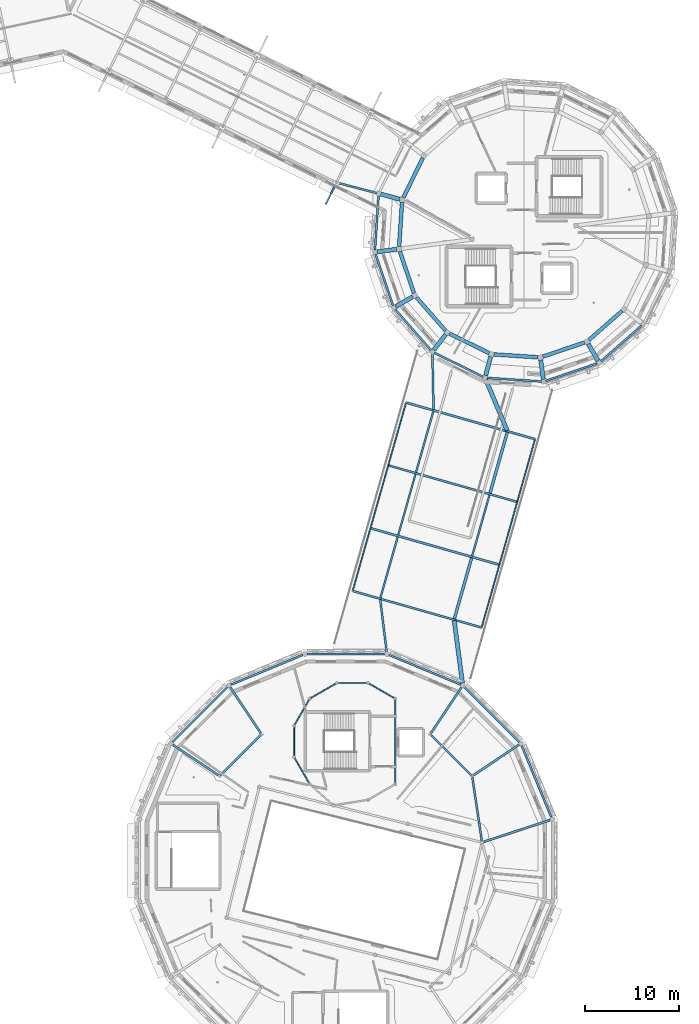
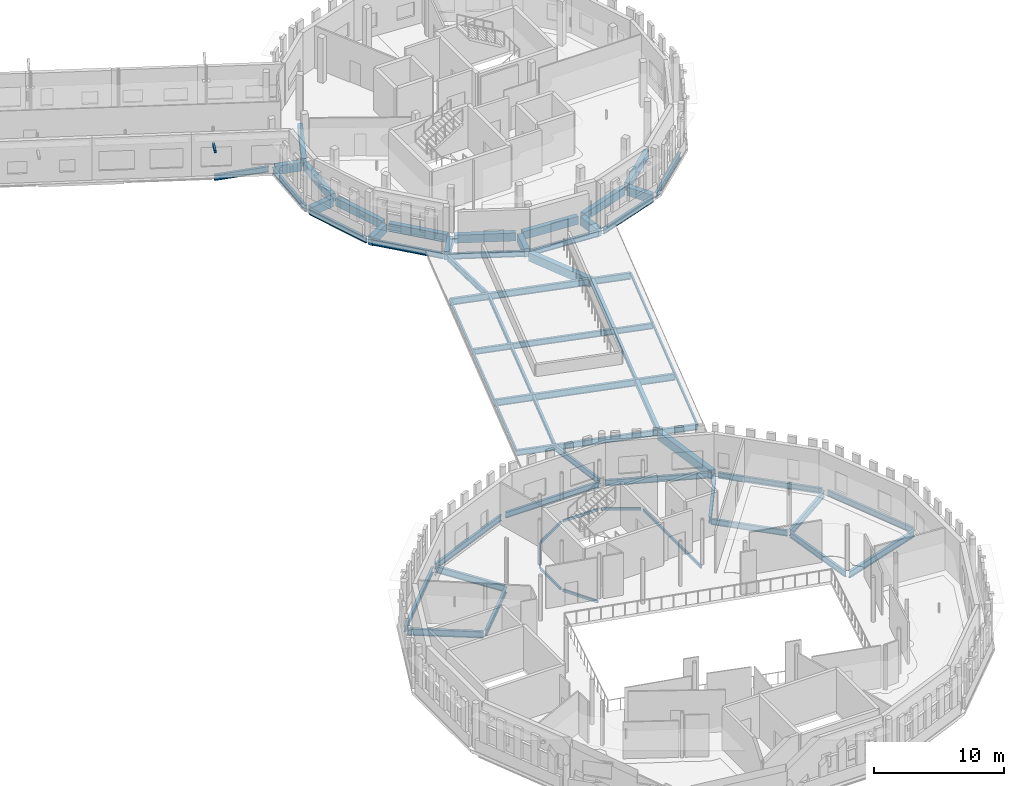
# One storey, part 22 of 68: 64 beams, 1 member.
"""IFC4 building model written with IfcOpenShell, lengths in metres."""

from ifc_helpers import new_model, si_unit, direction, frame, origin, origin_2d, place, context, subcontext, project, spatial, rectangle, hollow_rectangle, i_section, extrude, material, material_profile, profile_set, type_object, element, save


model = new_model("IFC4")

# Units and contexts
model_context = context("Model", 3, precision=1e-05, world=origin(), true_north=direction((0.0, 1.0)))
body_context = subcontext(model_context, "Body", "Model", "MODEL_VIEW")
ifc_project = project(units=[si_unit("LENGTHUNIT", "METRE"), si_unit("AREAUNIT", "SQUARE_METRE"), si_unit("VOLUMEUNIT", "CUBIC_METRE"), si_unit("PLANEANGLEUNIT", "RADIAN"), si_unit("MASSUNIT", "GRAM", prefix="KILO")], contexts=[model_context])

# Site, building, storey
site_placement = place(None, origin())
site = spatial("IfcSite", under=ifc_project, at=site_placement, CompositionType="ELEMENT")
building_placement = place(site_placement, origin())
building = spatial("IfcBuilding", under=site, at=building_placement, Name="Wrenclough Park School", CompositionType="ELEMENT")
storey_placement = place(building_placement, frame((0.0, 0.0, 12.60009765625)))
storey = spatial("IfcBuildingStorey", under=building, at=storey_placement, Name="L03", CompositionType="ELEMENT", Elevation=12.60009765625)

# Beams
ifc_material_1 = material(Name="Concrete C32/40", Category="concrete")
ifc_material_profile_1 = material_profile(ifc_material_1, rectangle(XDim=0.300048828125, YDim=0.5, at=origin_2d()), Name="RC BEAM 300x500")
ifc_profile_set_1 = profile_set([ifc_material_profile_1], Name="Concrete C32/40")
beam_type_1 = type_object("IfcBeamType", Name="STR-BM-RC300", PredefinedType="BEAM", material=ifc_profile_set_1)
beam_1_placement = place(storey_placement, frame((167.0712890625, 52.275390625, -0.47509765625), z_axis=(0.272791213947, 0.962073257914, 0.0), x_axis=(-0.962073257914, 0.272791213947, 0.0)))
element("IfcBeam", 1, at=beam_1_placement, inside=storey, type_object=beam_type_1, Name="W14 L03 longitudinal edge beam R1", PredefinedType="BEAM", context=body_context, shape_type="SweptSolid", body=[
    extrude(rectangle(XDim=0.300048828125, YDim=0.5, at=origin_2d()), origin(), (0.0, 0.0, 1.0), 6.7685546875),
])
beam_2_placement = place(storey_placement, frame((170.87109375, 65.67529296875, -0.47509765625), z_axis=(0.272815131707, 0.962066475828, 0.0), x_axis=(-0.962066475828, 0.272815131707, 0.0)))
element("IfcBeam", 2, at=beam_2_placement, inside=storey, type_object=beam_type_1, Name="W14 L03 longitudinal edge beam R3", PredefinedType="BEAM", context=body_context, shape_type="SweptSolid", body=[
    extrude(rectangle(XDim=0.300048828125, YDim=0.5, at=origin_2d()), origin(), (0.0, 0.0, 1.0), 6.76904296875),
])
ifc_material_2 = material(Name="Concrete C35/45", Category="concrete")
ifc_material_profile_2 = material_profile(ifc_material_2, rectangle(XDim=0.39990234375, YDim=0.75, at=origin_2d()), Name="RC BEAM 400x750")
ifc_profile_set_2 = profile_set([ifc_material_profile_2], Name="Concrete C35/45")
beam_type_2 = type_object("IfcBeamType", Name="STR-BM-RC400B", PredefinedType="BEAM", material=ifc_profile_set_2)
beam_3_placement = place(storey_placement, frame((163.712646484375, 101.450927734375, -0.655029296875), z_axis=(-0.442323832808, -0.89685541027, 0.0), x_axis=(0.89685541027, -0.442323832808, 0.0)))
element("IfcBeam", 3, at=beam_3_placement, inside=storey, type_object=beam_type_2, Name="D5 L03 middle ring beam 7", PredefinedType="BEAM", context=body_context, shape_type="SweptSolid", body=[
    extrude(rectangle(XDim=0.39990234375, YDim=0.75, at=origin_2d()), origin(), (0.0, 0.0, 1.0), 4.7197265625),
])
for number, where, z_axis, x_axis, name in (
    (4, (161.490966796875, 96.7177734375, -0.655029296875), (-0.065379206951, -0.9978604909, 0.0), (0.9978604909, -0.065379206951, 0.0), "D5 L03 middle ring beam 8"),
    (5, (161.25, 91.494384765625, -0.655029296875), (0.321421417637, -0.946936255661, 0.0), (0.946936255661, 0.321421417637, 0.0), "D5 L03 middle ring beam 9"),
    (6, (163.026123046875, 86.576416015625, -0.655029296875), (0.659350116413, -0.751836035307, 0.0), (0.751836035307, 0.659350116413, 0.0), "D5 L03 middle ring beam 10"),
):
    element("IfcBeam", number, at=place(storey_placement, frame(where, z_axis=z_axis, x_axis=x_axis)), inside=storey, type_object=beam_type_2, Name=name, PredefinedType="BEAM", context=body_context, shape_type="SweptSolid", body=[
        extrude(rectangle(XDim=0.39990234375, YDim=0.75, at=origin_2d()), origin(), (0.0, 0.0, 1.0), 4.719970703125),
    ])
beam_4_placement = place(storey_placement, frame((166.549072265625, 82.712646484375, -0.655029296875), z_axis=(0.89685541027, -0.442323832808, 0.0), x_axis=(0.442323832808, 0.89685541027, 0.0)))
element("IfcBeam", 7, at=beam_4_placement, inside=storey, type_object=beam_type_2, Name="D5 L03 middle ring beam 11", PredefinedType="BEAM", context=body_context, shape_type="SweptSolid", body=[
    extrude(rectangle(XDim=0.39990234375, YDim=0.75, at=origin_2d()), origin(), (0.0, 0.0, 1.0), 4.7197265625),
])
for number, where, z_axis, x_axis, name in (
    (8, (171.2822265625, 80.490966796875, -0.655029296875), (0.9978604909, -0.065379206951, 0.0), (0.065379206951, 0.9978604909, 0.0), "D5 L03 middle ring beam 12"),
    (9, (176.505615234375, 80.25, -0.655029296875), (0.946936255661, 0.321421417637, 0.0), (-0.321421417637, 0.946936255661, 0.0), "D5 L03 middle ring beam 13"),
    (10, (181.423583984375, 82.026123046875, -0.655029296875), (0.751836035307, 0.659350116413, 0.0), (-0.659350116413, 0.751836035307, 0.0), "D5 L03 middle ring beam 14"),
):
    element("IfcBeam", number, at=place(storey_placement, frame(where, z_axis=z_axis, x_axis=x_axis)), inside=storey, type_object=beam_type_2, Name=name, PredefinedType="BEAM", context=body_context, shape_type="SweptSolid", body=[
        extrude(rectangle(XDim=0.39990234375, YDim=0.75, at=origin_2d()), origin(), (0.0, 0.0, 1.0), 4.719970703125),
    ])
ifc_material_3 = material(Name="Concrete C40/50", Category="concrete")
ifc_material_profile_3 = material_profile(ifc_material_3, rectangle(XDim=0.449951171875, YDim=0.800048828125, at=origin_2d()), Name="RC BEAM 450x800")
ifc_profile_set_3 = profile_set([ifc_material_profile_3], Name="Concrete C40/50")
beam_type_3 = type_object("IfcBeamType", Name="STR-BM-RC450", PredefinedType="BEAM", material=ifc_profile_set_3)
beam_5_placement = place(storey_placement, frame((159.228759765625, 97.591796875, -0.68017578125), z_axis=(0.965928815352, -0.258807889511, 0.0), x_axis=(0.258807889511, 0.965928815352, 0.0)))
element("IfcBeam", 11, at=beam_5_placement, inside=storey, type_object=beam_type_3, Name="D5 L03 radial girder 8", PredefinedType="BEAM", context=body_context, shape_type="SweptSolid", body=[
    extrude(rectangle(XDim=0.449951171875, YDim=0.800048828125, at=origin_2d()), origin(), (0.0, 0.0, 1.0), 2.09619140625),
])
for number, where, z_axis, x_axis, name in (
    (12, (158.8251953125, 91.436279296875, -0.68017578125), (0.991439224031, 0.13056900495, 0.0), (-0.13056900495, 0.991439224031, 0.0), "D5 L03 radial girder 9"),
    (13, (160.80810546875, 85.594970703125, -0.68017578125), (0.866005190944, 0.500035008033, 0.0), (-0.500035008033, 0.866005190944, 0.0), "D5 L03 radial girder 10"),
):
    element("IfcBeam", number, at=place(storey_placement, frame(where, z_axis=z_axis, x_axis=x_axis)), inside=storey, type_object=beam_type_3, Name=name, PredefinedType="BEAM", context=body_context, shape_type="SweptSolid", body=[
        extrude(rectangle(XDim=0.449951171875, YDim=0.800048828125, at=origin_2d()), origin(), (0.0, 0.0, 1.0), 2.095947265625),
    ])
for number, where, z_axis, x_axis, name in (
    (14, (164.87548828125, 80.95703125, -0.68017578125), (0.608759124181, 0.793355108843, 0.0), (-0.793355108843, 0.608759124181, 0.0), "D5 L03 radial girder 11"),
    (15, (170.408203125, 78.228759765625, -0.68017578125), (0.258807889511, 0.965928815352, 0.0), (-0.965928815352, 0.258807889511, 0.0), "D5 L03 radial girder 12"),
):
    element("IfcBeam", number, at=place(storey_placement, frame(where, z_axis=z_axis, x_axis=x_axis)), inside=storey, type_object=beam_type_3, Name=name, PredefinedType="BEAM", context=body_context, shape_type="SweptSolid", body=[
        extrude(rectangle(XDim=0.449951171875, YDim=0.800048828125, at=origin_2d()), origin(), (0.0, 0.0, 1.0), 2.09619140625),
    ])
for number, where, z_axis, x_axis, name in (
    (16, (176.563720703125, 77.8251953125, -0.68017578125), (-0.13056900495, 0.991439224031, 0.0), (-0.991439224031, -0.13056900495, 0.0), "D5 L03 radial girder 13"),
    (17, (182.405029296875, 79.80810546875, -0.68017578125), (-0.500035008033, 0.866005190944, 0.0), (-0.866005190944, -0.500035008033, 0.0), "D5 L03 radial girder 14"),
):
    element("IfcBeam", number, at=place(storey_placement, frame(where, z_axis=z_axis, x_axis=x_axis)), inside=storey, type_object=beam_type_3, Name=name, PredefinedType="BEAM", context=body_context, shape_type="SweptSolid", body=[
        extrude(rectangle(XDim=0.449951171875, YDim=0.800048828125, at=origin_2d()), origin(), (0.0, 0.0, 1.0), 2.095947265625),
    ])
beam_6_placement = place(storey_placement, frame((167.057373046875, 52.08447265625, -0.6650390625), z_axis=(0.131157402049, -0.991361556592, 0.0), x_axis=(0.991361556592, 0.131157402049, 0.0)))
element("IfcBeam", 18, at=beam_6_placement, inside=storey, type_object=beam_type_3, Name="W14 L03 drum junction tie beam 34", PredefinedType="BEAM", context=body_context, shape_type="SweptSolid", body=[
    extrude(rectangle(XDim=0.449951171875, YDim=0.800048828125, at=origin_2d()), origin(), (0.0, 0.0, 1.0), 6.73828125),
])
beam_7_placement = place(storey_placement, frame((172.706787109375, 72.37158203125, -0.68017578125), z_axis=(-0.38695980041, 0.922096585433, 0.0), x_axis=(-0.922096585433, -0.38695980041, 0.0)))
element("IfcBeam", 19, at=beam_7_placement, inside=storey, type_object=beam_type_3, Name="W14 L03 drum junction tie beam 40", PredefinedType="BEAM", context=body_context, shape_type="SweptSolid", body=[
    extrude(rectangle(XDim=0.449951171875, YDim=0.800048828125, at=origin_2d()), origin(), (0.0, 0.0, 1.0), 5.860595703125),
])
ifc_material_4 = material(Name="Structural steel S355", Category="steel")
ifc_material_profile_4 = material_profile(ifc_material_4, hollow_rectangle(XDim=0.14990234375, YDim=0.25, WallThickness=0.010009765625, InnerFilletRadius=0.010009765625, OuterFilletRadius=0.014892578125, at=origin_2d()), Name="RHS 250x150x10.0")
ifc_profile_set_4 = profile_set([ifc_material_profile_4], Name="Structural steel S355")
beam_type_4 = type_object("IfcBeamType", Name="STR-BM-RHS250", PredefinedType="SPANDREL", material=ifc_profile_set_4)
for number, where, z_axis, x_axis, name in (
    (20, (156.22119140625, 55.250732421875, -0.35498046875), (0.272812961552, 0.96206709122, 0.0), (-0.96206709122, 0.272812961552, 0.0), "W14 overhanging eave fascia beam L1"),
    (21, (158.12109375, 61.95068359375, -0.35498046875), (0.27284540883, 0.962057889568, 0.0), (-0.962057889568, 0.27284540883, 0.0), "W14 overhanging eave fascia beam L2"),
    (22, (160.021240234375, 68.650634765625, -0.35498046875), (0.272812961552, 0.96206709122, 0.0), (-0.96206709122, 0.272812961552, 0.0), "W14 overhanging eave fascia beam L3"),
    (23, (169.978759765625, 51.349365234375, -0.35498046875), (0.27284540883, 0.962057889568, 0.0), (-0.962057889568, 0.27284540883, 0.0), "W14 overhanging eave fascia beam R1"),
    (24, (171.87890625, 58.04931640625, -0.35498046875), (0.272812961552, 0.96206709122, 0.0), (-0.96206709122, 0.272812961552, 0.0), "W14 overhanging eave fascia beam R2"),
    (25, (173.77880859375, 64.749267578125, -0.35498046875), (0.272812961552, 0.96206709122, 0.0), (-0.96206709122, 0.272812961552, 0.0), "W14 overhanging eave fascia beam R3"),
):
    element("IfcBeam", number, at=place(storey_placement, frame(where, z_axis=z_axis, x_axis=x_axis)), inside=storey, type_object=beam_type_4, Name=name, PredefinedType="SPANDREL", context=body_context, shape_type="SweptSolid", body=[
        extrude(hollow_rectangle(XDim=0.14990234375, YDim=0.25, WallThickness=0.010009765625, InnerFilletRadius=0.010009765625, OuterFilletRadius=0.014892578125, at=origin_2d()), origin(), (0.0, 0.0, 1.0), 6.964111328125),
    ])
beam_8_placement = place(storey_placement, frame((160.647216796875, 43.826416015625, -0.39013671875), z_axis=(-0.866012465712, 0.500022408728, 0.0), x_axis=(-0.500022408728, -0.866012465712, 0.0)))
element("IfcBeam", 26, at=beam_8_placement, inside=storey, type_object=beam_type_4, Name="D1-SH L03 cylindrical ring beam 1", PredefinedType="SPANDREL", context=body_context, shape_type="SweptSolid", body=[
    extrude(hollow_rectangle(XDim=0.14990234375, YDim=0.25, WallThickness=0.010009765625, InnerFilletRadius=0.010009765625, OuterFilletRadius=0.014892578125, at=origin_2d()), origin(), (0.0, 0.0, 1.0), 3.076416015625),
])
beam_9_placement = place(storey_placement, frame((157.73828125, 45.43017578125, -0.39013671875), z_axis=(-1.0, 0.0, 0.0), x_axis=(0.0, -1.0, 0.0)))
element("IfcBeam", 27, at=beam_9_placement, inside=storey, type_object=beam_type_4, Name="D1-SH L03 cylindrical ring beam 2", PredefinedType="SPANDREL", context=body_context, shape_type="SweptSolid", body=[
    extrude(hollow_rectangle(XDim=0.14990234375, YDim=0.25, WallThickness=0.010009765625, InnerFilletRadius=0.010009765625, OuterFilletRadius=0.014892578125, at=origin_2d()), origin(), (0.0, 0.0, 1.0), 3.07666015625),
])
for number, where, z_axis, x_axis, name in (
    (28, (154.4169921875, 45.36474609375, -0.39013671875), (-0.866012465712, -0.500022408728, 0.0), (0.500022408728, -0.866012465712, 0.0), "D1-SH L03 cylindrical ring beam 3"),
    (29, (151.57373046875, 43.647216796875, -0.39013671875), (-0.500022408728, -0.866012465712, 0.0), (0.866012465712, -0.500022408728, 0.0), "D1-SH L03 cylindrical ring beam 4"),
):
    element("IfcBeam", number, at=place(storey_placement, frame(where, z_axis=z_axis, x_axis=x_axis)), inside=storey, type_object=beam_type_4, Name=name, PredefinedType="SPANDREL", context=body_context, shape_type="SweptSolid", body=[
        extrude(hollow_rectangle(XDim=0.14990234375, YDim=0.25, WallThickness=0.010009765625, InnerFilletRadius=0.010009765625, OuterFilletRadius=0.014892578125, at=origin_2d()), origin(), (0.0, 0.0, 1.0), 3.076416015625),
    ])
beam_10_placement = place(storey_placement, frame((149.9697265625, 40.73828125, -0.39013671875), z_axis=(0.0, -1.0, 0.0), x_axis=(1.0, 0.0, 0.0)))
element("IfcBeam", 30, at=beam_10_placement, inside=storey, type_object=beam_type_4, Name="D1-SH L03 cylindrical ring beam 5", PredefinedType="SPANDREL", context=body_context, shape_type="SweptSolid", body=[
    extrude(hollow_rectangle(XDim=0.14990234375, YDim=0.25, WallThickness=0.010009765625, InnerFilletRadius=0.010009765625, OuterFilletRadius=0.014892578125, at=origin_2d()), origin(), (0.0, 0.0, 1.0), 3.07666015625),
])
beam_11_placement = place(storey_placement, frame((150.035400390625, 37.4169921875, -0.39013671875), z_axis=(0.500022408728, -0.866012465712, 0.0), x_axis=(0.866012465712, 0.500022408728, 0.0)))
element("IfcBeam", 31, at=beam_11_placement, inside=storey, type_object=beam_type_4, Name="D1-SH L03 cylindrical ring beam 6", PredefinedType="SPANDREL", context=body_context, shape_type="SweptSolid", body=[
    extrude(hollow_rectangle(XDim=0.14990234375, YDim=0.25, WallThickness=0.010009765625, InnerFilletRadius=0.010009765625, OuterFilletRadius=0.014892578125, at=origin_2d()), origin(), (0.0, 0.0, 1.0), 3.076416015625),
])
beam_12_placement = place(storey_placement, frame((160.7607421875, 34.770263671875, -0.39013671875), z_axis=(0.0, 1.0, 0.0), x_axis=(-1.0, 0.0, 0.0)))
element("IfcBeam", 32, at=beam_12_placement, inside=storey, type_object=beam_type_4, Name="D1-SH L03 cylindrical ring beam 10", PredefinedType="SPANDREL", context=body_context, shape_type="SweptSolid", body=[
    extrude(hollow_rectangle(XDim=0.14990234375, YDim=0.25, WallThickness=0.010009765625, InnerFilletRadius=0.010009765625, OuterFilletRadius=0.014892578125, at=origin_2d()), origin(), (0.0, 0.0, 1.0), 8.859619140625),
])
ifc_material_profile_5 = material_profile(ifc_material_4, i_section(OverallWidth=0.177978515625, OverallDepth=0.406494140625, WebThickness=0.0078125, FlangeThickness=0.0126953125, FilletRadius=0.01025390625, at=origin_2d()), Name="UKB 406x178x60")
ifc_profile_set_5 = profile_set([ifc_material_profile_5], Name="Structural steel S355")
beam_type_5 = type_object("IfcBeamType", Name="STR-BM-UKB406", PredefinedType="BEAM", material=ifc_profile_set_5)
beam_13_placement = place(storey_placement, frame((161.082275390625, 61.212646484375, -0.42822265625), z_axis=(0.272791213947, 0.962073257914, 0.0), x_axis=(-0.962073257914, 0.272791213947, 0.0)))
element("IfcBeam", 33, at=beam_13_placement, inside=storey, type_object=beam_type_5, Name="W14 L03 longitudinal edge beam L2", PredefinedType="BEAM", context=body_context, shape_type="SweptSolid", body=[
    extrude(i_section(OverallWidth=0.177978515625, OverallDepth=0.406494140625, WebThickness=0.0078125, FlangeThickness=0.0126953125, FilletRadius=0.01025390625, at=origin_2d()), origin(), (0.0, 0.0, 1.0), 6.7685546875),
])
ifc_material_profile_6 = material_profile(ifc_material_4, i_section(OverallWidth=0.18994140625, OverallDepth=0.453369140625, WebThickness=0.008544921875, FlangeThickness=0.0126953125, FilletRadius=0.01025390625, at=origin_2d()), Name="UKB 457x191x67")
ifc_profile_set_6 = profile_set([ifc_material_profile_6], Name="Structural steel S355")
beam_type_6 = type_object("IfcBeamType", Name="STR-BM-UKB457A", PredefinedType="BEAM", material=ifc_profile_set_6)
for number, where, z_axis, x_axis, name in (
    (34, (159.18212890625, 54.5126953125, -0.451904296875), (0.272824598545, 0.962063791247, 0.0), (-0.962063791247, 0.272824598545, 0.0), "W14 L03 longitudinal edge beam L1"),
    (35, (168.97119140625, 58.975341796875, -0.451904296875), (0.272824598545, 0.962063791247, 0.0), (-0.962063791247, 0.272824598545, 0.0), "W14 L03 longitudinal edge beam R2"),
    (36, (162.982177734375, 67.91259765625, -0.451904296875), (0.272824598545, 0.962063791247, 0.0), (-0.962063791247, 0.272824598545, 0.0), "W14 L03 longitudinal edge beam L3"),
):
    element("IfcBeam", number, at=place(storey_placement, frame(where, z_axis=z_axis, x_axis=x_axis)), inside=storey, type_object=beam_type_6, Name=name, PredefinedType="BEAM", context=body_context, shape_type="SweptSolid", body=[
        extrude(i_section(OverallWidth=0.18994140625, OverallDepth=0.453369140625, WebThickness=0.008544921875, FlangeThickness=0.0126953125, FilletRadius=0.01025390625, at=origin_2d()), origin(), (0.0, 0.0, 1.0), 6.768798828125),
    ])
ifc_material_profile_7 = material_profile(ifc_material_4, i_section(OverallWidth=0.209228515625, OverallDepth=0.533203125, WebThickness=0.010009765625, FlangeThickness=0.015625, FilletRadius=0.0126953125, at=origin_2d()), Name="UKB 533x210x92")
ifc_profile_set_7 = profile_set([ifc_material_profile_7], Name="Structural steel S355")
beam_type_7 = type_object("IfcBeamType", Name="STR-BM-UKB533A", PredefinedType="BEAM", material=ifc_profile_set_7)
beam_14_placement = place(storey_placement, frame((169.999267578125, 28.615478515625, -0.531494140625), z_axis=(-0.147880943576, 0.989005170121, 0.0), x_axis=(-0.989005170121, -0.147880943576, 0.0)))
element("IfcBeam", 37, at=beam_14_placement, inside=storey, type_object=beam_type_7, Name="D1 L03 middle ring beam 1", PredefinedType="BEAM", context=body_context, shape_type="SweptSolid", body=[
    extrude(i_section(OverallWidth=0.209228515625, OverallDepth=0.533203125, WebThickness=0.010009765625, FlangeThickness=0.015625, FilletRadius=0.0126953125, at=origin_2d()), origin(), (0.0, 0.0, 1.0), 6.833251953125),
])
for number, where, z_axis, x_axis, name in (
    (38, (168.87939453125, 35.5908203125, -0.531494140625), (-0.707106781187, 0.707106781187, 0.0), (-0.707106781187, -0.707106781187, 0.0), "D1 L03 middle ring beam 2"),
    (39, (146.4091796875, 39.87939453125, -0.531494140625), (-0.707106781187, -0.707106781187, 0.0), (0.707106781187, -0.707106781187, 0.0), "D1 L03 middle ring beam 6"),
):
    element("IfcBeam", number, at=place(storey_placement, frame(where, z_axis=z_axis, x_axis=x_axis)), inside=storey, type_object=beam_type_7, Name=name, PredefinedType="BEAM", context=body_context, shape_type="SweptSolid", body=[
        extrude(i_section(OverallWidth=0.209228515625, OverallDepth=0.533203125, WebThickness=0.010009765625, FlangeThickness=0.015625, FilletRadius=0.0126953125, at=origin_2d()), origin(), (0.0, 0.0, 1.0), 6.06494140625),
    ])
for number, where, z_axis, x_axis, name in (
    (40, (169.978759765625, 51.349365234375, -0.49658203125), (-0.962064534491, 0.272821977625, 0.0), (-0.272821977625, -0.962064534491, 0.0), "W14 continuous overhanging eave roof girder 1.1"),
    (41, (173.77880859375, 64.749267578125, -0.49658203125), (-0.962064534491, 0.272821977625, 0.0), (-0.272821977625, -0.962064534491, 0.0), "W14 continuous overhanging eave roof girder 1.3"),
):
    element("IfcBeam", number, at=place(storey_placement, frame(where, z_axis=z_axis, x_axis=x_axis)), inside=storey, type_object=beam_type_7, Name=name, PredefinedType="BEAM", context=body_context, shape_type="SweptSolid", body=[
        extrude(i_section(OverallWidth=0.209228515625, OverallDepth=0.533203125, WebThickness=0.010009765625, FlangeThickness=0.015625, FilletRadius=0.0126953125, at=origin_2d()), origin(), (0.0, 0.0, 1.0), 14.300048828125),
    ])
beam_15_placement = place(storey_placement, frame((159.16748046875, 54.321533203125, -0.531494140625), z_axis=(0.121842381177, -0.992549461815, 0.0), x_axis=(0.992549461815, 0.121842381177, 0.0)))
element("IfcBeam", 42, at=beam_15_placement, inside=storey, type_object=beam_type_7, Name="W14 L03 drum junction tie beam 31", PredefinedType="BEAM", context=body_context, shape_type="SweptSolid", body=[
    extrude(i_section(OverallWidth=0.209228515625, OverallDepth=0.533203125, WebThickness=0.010009765625, FlangeThickness=0.015625, FilletRadius=0.0126953125, at=origin_2d()), origin(), (0.0, 0.0, 1.0), 5.6064453125),
])
beam_16_placement = place(storey_placement, frame((164.853515625, 74.6162109375, -0.546630859375), z_axis=(-0.020194980116, 0.999796060593, 0.0), x_axis=(-0.999796060593, -0.020194980116, 0.0)))
element("IfcBeam", 43, at=beam_16_placement, inside=storey, type_object=beam_type_7, Name="W14 L03 drum junction tie beam 37", PredefinedType="BEAM", context=body_context, shape_type="SweptSolid", body=[
    extrude(i_section(OverallWidth=0.209228515625, OverallDepth=0.533203125, WebThickness=0.010009765625, FlangeThickness=0.015625, FilletRadius=0.0126953125, at=origin_2d()), origin(), (0.0, 0.0, 1.0), 5.91162109375),
])
beam_17_placement = place(storey_placement, frame((154.588623046875, 98.80078125, -0.546630859375), z_axis=(0.967785292652, -0.251776939626, 0.0), x_axis=(0.251776939626, 0.967785292652, 0.0)))
element("IfcBeam", 44, at=beam_17_placement, inside=storey, type_object=beam_type_7, Name="W45 L03 drum junction tie beam 55", PredefinedType="BEAM", context=body_context, shape_type="SweptSolid", body=[
    extrude(i_section(OverallWidth=0.209228515625, OverallDepth=0.533203125, WebThickness=0.010009765625, FlangeThickness=0.015625, FilletRadius=0.0126953125, at=origin_2d()), origin(), (0.0, 0.0, 1.0), 4.31494140625),
])
ifc_material_profile_8 = material_profile(ifc_material_4, i_section(OverallWidth=0.210693359375, OverallDepth=0.53955078125, WebThickness=0.01171875, FlangeThickness=0.018798828125, FilletRadius=0.0126953125, at=origin_2d()), Name="UKB 533x210x109")
ifc_profile_set_8 = profile_set([ifc_material_profile_8], Name="Structural steel S355")
beam_type_8 = type_object("IfcBeamType", Name="STR-BM-UKB533B", PredefinedType="SPANDREL", material=ifc_profile_set_8)
for number, where, z_axis, x_axis, name in (
    (45, (177.4267578125, 31.1015625, -0.534912109375), (-0.382679925467, 0.923880985108, 0.0), (-0.923880985108, -0.382679925467, 0.0), "D1 L03 outer ring spandrel beam 1"),
    (46, (173.996826171875, 39.142333984375, -0.534912109375), (-0.707106781187, 0.707106781187, 0.0), (-0.707106781187, -0.707106781187, 0.0), "D1 L03 outer ring spandrel beam 2"),
    (47, (167.7509765625, 45.25830078125, -0.534912109375), (-0.923880985108, 0.382679925467, 0.0), (-0.382679925467, -0.923880985108, 0.0), "D1 L03 outer ring spandrel beam 3"),
):
    element("IfcBeam", number, at=place(storey_placement, frame(where, z_axis=z_axis, x_axis=x_axis)), inside=storey, type_object=beam_type_8, Name=name, PredefinedType="SPANDREL", context=body_context, shape_type="SweptSolid", body=[
        extrude(i_section(OverallWidth=0.210693359375, OverallDepth=0.53955078125, WebThickness=0.01171875, FlangeThickness=0.018798828125, FilletRadius=0.0126953125, at=origin_2d()), origin(), (0.0, 0.0, 1.0), 8.279541015625),
    ])
beam_18_placement = place(storey_placement, frame((159.639892578125, 48.5185546875, -0.534912109375), z_axis=(-1.0, 0.0, 0.0), x_axis=(0.0, -1.0, 0.0)))
element("IfcBeam", 48, at=beam_18_placement, inside=storey, type_object=beam_type_8, Name="D1 L03 outer ring spandrel beam 4", PredefinedType="SPANDREL", context=body_context, shape_type="SweptSolid", body=[
    extrude(i_section(OverallWidth=0.210693359375, OverallDepth=0.53955078125, WebThickness=0.01171875, FlangeThickness=0.018798828125, FilletRadius=0.0126953125, at=origin_2d()), origin(), (0.0, 0.0, 1.0), 8.27978515625),
])
for number, where, z_axis, x_axis, name in (
    (49, (150.8984375, 48.4267578125, -0.534912109375), (-0.923880985108, -0.382679925467, 0.0), (0.382679925467, -0.923880985108, 0.0), "D1 L03 outer ring spandrel beam 5"),
    (50, (142.857666015625, 44.996826171875, -0.534912109375), (-0.707106781187, -0.707106781187, 0.0), (0.707106781187, -0.707106781187, 0.0), "D1 L03 outer ring spandrel beam 6"),
):
    element("IfcBeam", number, at=place(storey_placement, frame(where, z_axis=z_axis, x_axis=x_axis)), inside=storey, type_object=beam_type_8, Name=name, PredefinedType="SPANDREL", context=body_context, shape_type="SweptSolid", body=[
        extrude(i_section(OverallWidth=0.210693359375, OverallDepth=0.53955078125, WebThickness=0.01171875, FlangeThickness=0.018798828125, FilletRadius=0.0126953125, at=origin_2d()), origin(), (0.0, 0.0, 1.0), 8.279541015625),
    ])
beam_19_placement = place(storey_placement, frame((158.981201171875, 97.41455078125, -0.5498046875), z_axis=(-0.065400850615, -0.997859072584, 0.0), x_axis=(0.997859072584, -0.065400850615, 0.0)))
element("IfcBeam", 51, at=beam_19_placement, inside=storey, type_object=beam_type_8, Name="D5 L03 outer ring spandrel beam 8", PredefinedType="SPANDREL", context=body_context, shape_type="SweptSolid", body=[
    extrude(i_section(OverallWidth=0.210693359375, OverallDepth=0.53955078125, WebThickness=0.01171875, FlangeThickness=0.018798828125, FilletRadius=0.0126953125, at=origin_2d()), origin(), (0.0, 0.0, 1.0), 5.782470703125),
])
beam_20_placement = place(storey_placement, frame((158.664306640625, 91.177734375, -0.5498046875), z_axis=(0.321479571103, -0.946916514463, 0.0), x_axis=(0.946916514463, 0.321479571103, 0.0)))
element("IfcBeam", 52, at=beam_20_placement, inside=storey, type_object=beam_type_8, Name="D5 L03 outer ring spandrel beam 9", PredefinedType="SPANDREL", context=body_context, shape_type="SweptSolid", body=[
    extrude(i_section(OverallWidth=0.210693359375, OverallDepth=0.53955078125, WebThickness=0.01171875, FlangeThickness=0.018798828125, FilletRadius=0.0126953125, at=origin_2d()), origin(), (0.0, 0.0, 1.0), 5.7822265625),
])
for number, where, z_axis, x_axis, name in (
    (53, (160.758544921875, 85.294677734375, -0.5498046875), (0.659341117172, -0.751843927425, 0.0), (0.751843927425, 0.659341117172, 0.0), "D5 L03 outer ring spandrel beam 10"),
    (54, (164.944580078125, 80.66064453125, -0.5498046875), (0.896870870578, -0.44229248412, 0.0), (0.44229248412, 0.896870870578, 0.0), "D5 L03 outer ring spandrel beam 11"),
):
    element("IfcBeam", number, at=place(storey_placement, frame(where, z_axis=z_axis, x_axis=x_axis)), inside=storey, type_object=beam_type_8, Name=name, PredefinedType="SPANDREL", context=body_context, shape_type="SweptSolid", body=[
        extrude(i_section(OverallWidth=0.210693359375, OverallDepth=0.53955078125, WebThickness=0.01171875, FlangeThickness=0.018798828125, FilletRadius=0.0126953125, at=origin_2d()), origin(), (0.0, 0.0, 1.0), 5.78271484375),
    ])
beam_21_placement = place(storey_placement, frame((170.58544921875, 77.981201171875, -0.5498046875), z_axis=(0.997859072584, -0.065400850615, 0.0), x_axis=(0.065400850615, 0.997859072584, 0.0)))
element("IfcBeam", 55, at=beam_21_placement, inside=storey, type_object=beam_type_8, Name="D5 L03 outer ring spandrel beam 12", PredefinedType="SPANDREL", context=body_context, shape_type="SweptSolid", body=[
    extrude(i_section(OverallWidth=0.210693359375, OverallDepth=0.53955078125, WebThickness=0.01171875, FlangeThickness=0.018798828125, FilletRadius=0.0126953125, at=origin_2d()), origin(), (0.0, 0.0, 1.0), 5.782470703125),
])
beam_22_placement = place(storey_placement, frame((176.822265625, 77.664306640625, -0.5498046875), z_axis=(0.946916514463, 0.321479571103, 0.0), x_axis=(-0.321479571103, 0.946916514463, 0.0)))
element("IfcBeam", 56, at=beam_22_placement, inside=storey, type_object=beam_type_8, Name="D5 L03 outer ring spandrel beam 13", PredefinedType="SPANDREL", context=body_context, shape_type="SweptSolid", body=[
    extrude(i_section(OverallWidth=0.210693359375, OverallDepth=0.53955078125, WebThickness=0.01171875, FlangeThickness=0.018798828125, FilletRadius=0.0126953125, at=origin_2d()), origin(), (0.0, 0.0, 1.0), 5.7822265625),
])
beam_23_placement = place(storey_placement, frame((182.705322265625, 79.758544921875, -0.5498046875), z_axis=(0.751843927425, 0.659341117172, 0.0), x_axis=(-0.659341117172, 0.751843927425, 0.0)))
element("IfcBeam", 57, at=beam_23_placement, inside=storey, type_object=beam_type_8, Name="D5 L03 outer ring spandrel beam 14", PredefinedType="SPANDREL", context=body_context, shape_type="SweptSolid", body=[
    extrude(i_section(OverallWidth=0.210693359375, OverallDepth=0.53955078125, WebThickness=0.01171875, FlangeThickness=0.018798828125, FilletRadius=0.0126953125, at=origin_2d()), origin(), (0.0, 0.0, 1.0), 5.78271484375),
])
ifc_material_profile_9 = material_profile(ifc_material_4, i_section(OverallWidth=0.22900390625, OverallDepth=0.6123046875, WebThickness=0.011962890625, FlangeThickness=0.01953125, FilletRadius=0.0126953125, at=origin_2d()), Name="UKB 610x229x125")
ifc_profile_set_9 = profile_set([ifc_material_profile_9], Name="Structural steel S355")
beam_type_9 = type_object("IfcBeamType", Name="STR-BM-UKB610", PredefinedType="BEAM", material=ifc_profile_set_9)
beam_24_placement = place(storey_placement, frame((177.29052734375, 30.804931640625, -0.5712890625), z_axis=(-0.950183556396, -0.311690887187, 0.0), x_axis=(0.311690887187, -0.950183556396, 0.0)))
element("IfcBeam", 58, at=beam_24_placement, inside=storey, type_object=beam_type_9, Name="D1 L03 radial girder 1", PredefinedType="BEAM", context=body_context, shape_type="SweptSolid", body=[
    extrude(i_section(OverallWidth=0.22900390625, OverallDepth=0.6123046875, WebThickness=0.011962890625, FlangeThickness=0.01953125, FilletRadius=0.0126953125, at=origin_2d()), origin(), (0.0, 0.0, 1.0), 7.4482421875),
])
for number, where, z_axis, x_axis, name in (
    (59, (173.966796875, 38.83935546875, -0.5712890625), (-0.831449565589, -0.555600233875, 0.0), (0.555600233875, -0.831449565589, 0.0), "D1 L03 radial girder 2"),
    (60, (167.83935546875, 44.966796875, -0.5712890625), (-0.555600233875, -0.831449565589, 0.0), (0.831449565589, -0.555600233875, 0.0), "D1 L03 radial girder 3"),
    (61, (143.16064453125, 44.966796875, -0.5712890625), (0.555600233875, -0.831449565589, 0.0), (0.831449565589, 0.555600233875, 0.0), "D1 L03 radial girder 6"),
    (62, (137.033203125, 38.83935546875, -0.5712890625), (0.831449565589, -0.555600233875, 0.0), (0.555600233875, 0.831449565589, 0.0), "D1 L03 radial girder 7"),
):
    element("IfcBeam", number, at=place(storey_placement, frame(where, z_axis=z_axis, x_axis=x_axis)), inside=storey, type_object=beam_type_9, Name=name, PredefinedType="BEAM", context=body_context, shape_type="SweptSolid", body=[
        extrude(i_section(OverallWidth=0.22900390625, OverallDepth=0.6123046875, WebThickness=0.011962890625, FlangeThickness=0.01953125, FilletRadius=0.0126953125, at=origin_2d()), origin(), (0.0, 0.0, 1.0), 5.882080078125),
    ])
beam_25_placement = place(storey_placement, frame((171.87890625, 58.04931640625, -0.5361328125), z_axis=(-0.962065805213, 0.27281749658, 0.0), x_axis=(-0.27281749658, -0.962065805213, 0.0)))
element("IfcBeam", 63, at=beam_25_placement, inside=storey, type_object=beam_type_9, Name="W14 continuous overhanging eave roof girder 1.2", PredefinedType="BEAM", context=body_context, shape_type="SweptSolid", body=[
    extrude(i_section(OverallWidth=0.22900390625, OverallDepth=0.6123046875, WebThickness=0.011962890625, FlangeThickness=0.01953125, FilletRadius=0.0126953125, at=origin_2d()), origin(), (0.0, 0.0, 1.0), 14.30029296875),
])
beam_26_placement = place(storey_placement, frame((175.6787109375, 71.44921875, -0.5361328125), z_axis=(-0.962064534491, 0.272821977625, 0.0), x_axis=(-0.272821977625, -0.962064534491, 0.0)))
element("IfcBeam", 64, at=beam_26_placement, inside=storey, type_object=beam_type_9, Name="W14 continuous overhanging eave roof girder 1.4", PredefinedType="BEAM", context=body_context, shape_type="SweptSolid", body=[
    extrude(i_section(OverallWidth=0.22900390625, OverallDepth=0.6123046875, WebThickness=0.011962890625, FlangeThickness=0.01953125, FilletRadius=0.0126953125, at=origin_2d()), origin(), (0.0, 0.0, 1.0), 14.300048828125),
])

# Member
ifc_material_profile_10 = material_profile(ifc_material_4, hollow_rectangle(XDim=0.179931640625, YDim=0.179931640625, WallThickness=0.010009765625, InnerFilletRadius=0.010009765625, OuterFilletRadius=0.014892578125, at=origin_2d()), Name="SHS 180x180x10.0")
ifc_profile_set_10 = profile_set([ifc_material_profile_10], Name="Structural steel S355")
member_type = type_object("IfcMemberType", Name="STR-MEM-STRUT2", PredefinedType="STRUT", material=ifc_profile_set_10)
member_placement = place(storey_placement, frame((154.450439453125, 98.73681640625, 2.75), z_axis=(-0.416413171952, -0.841334111898, 0.344611349756), x_axis=(0.896232426996, -0.443584757178, 0.0)))
element("IfcMember", 65, at=member_placement, inside=storey, type_object=member_type, Name="W45 overhanging eave knee-brace strut 20", PredefinedType="STRUT", context=body_context, shape_type="SweptSolid", body=[
    extrude(hollow_rectangle(XDim=0.179931640625, YDim=0.179931640625, WallThickness=0.010009765625, InnerFilletRadius=0.010009765625, OuterFilletRadius=0.014892578125, at=origin_2d()), origin(), (0.0, 0.0, 1.0), 2.611328125),
])

save(model, "model.ifc")
